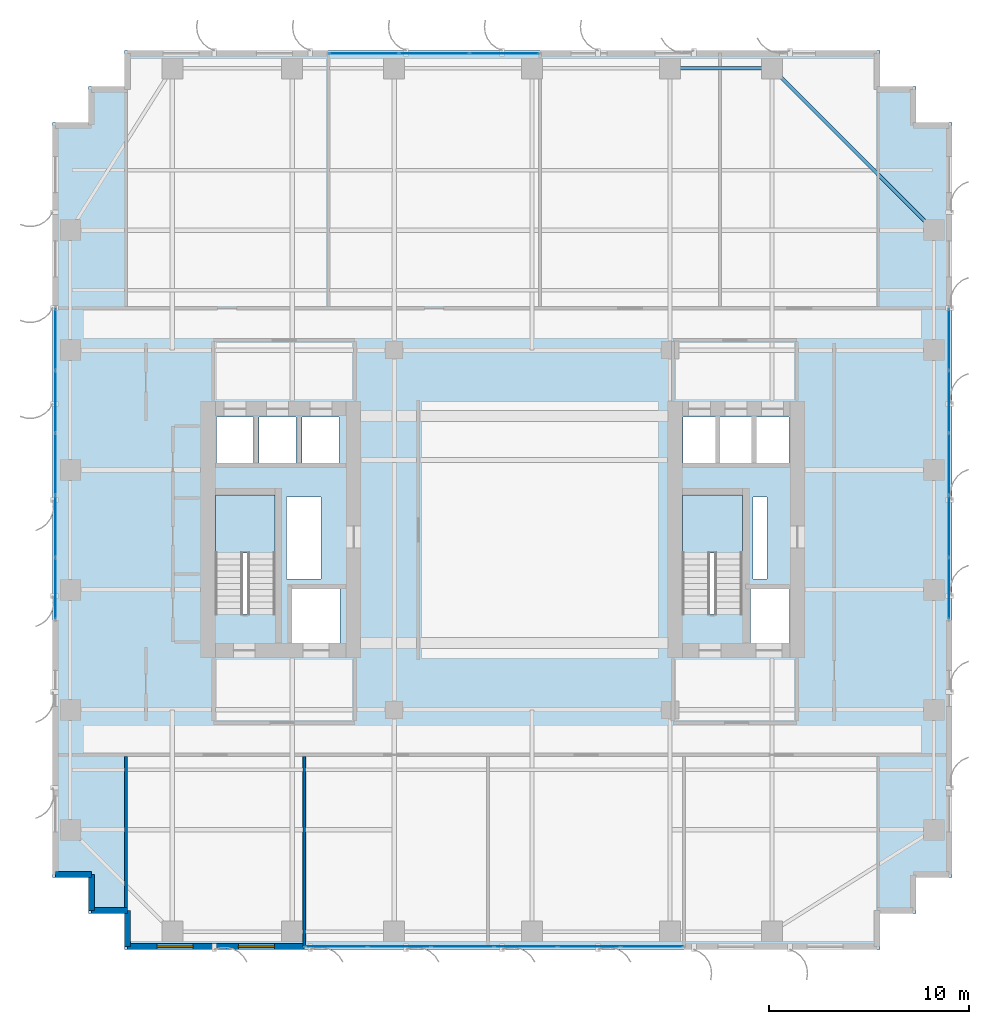
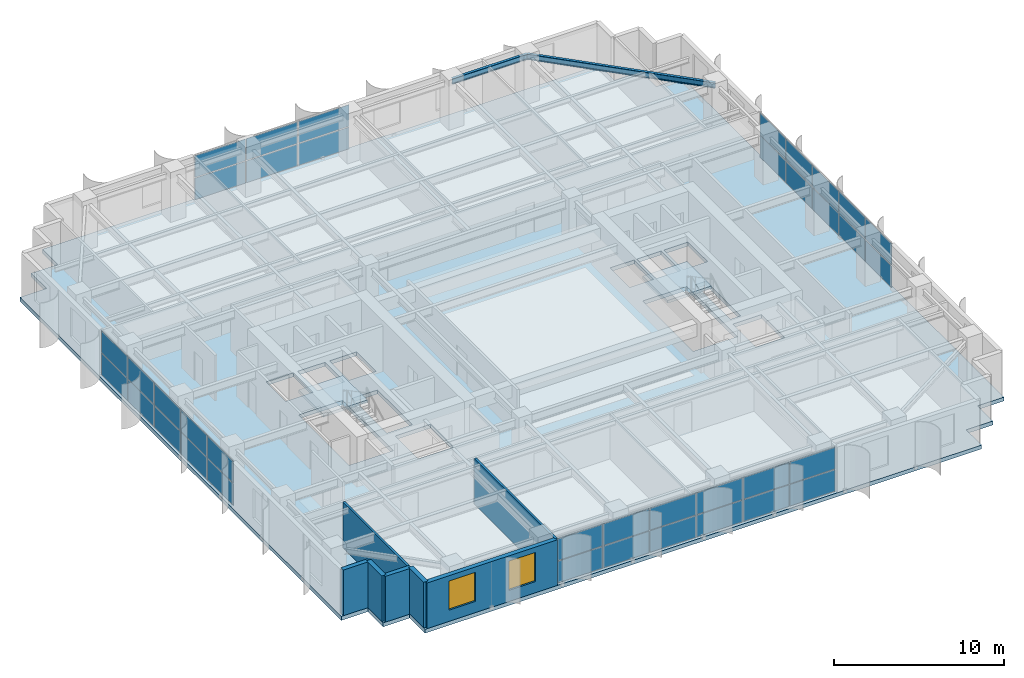
# One storey, part 21 of 28: 38 plates, 7 walls, 3 slabs, 2 beams, 2 windows, 2 openings, 6 elements without a shape of their own.
"""IFC4 building model written with IfcOpenShell, lengths in metres."""

from ifc_helpers import new_model, si_unit, direction, frame, frame_2d, origin, origin_2d, place, context, subcontext, project, spatial, polyline, rectangle, i_section, outline, extrude, source, transform, mapped, material, layer, layer_set, material_profile, profile_set, type_object, element, fill, aggregate, save


model = new_model("IFC4")

# Units and contexts
model_context = context("Model", 3, precision=1e-05, world=origin(), true_north=direction((0.0, 1.0)))
body_context = subcontext(model_context, "Body", "Model", "MODEL_VIEW")
ifc_project = project(units=[si_unit("LENGTHUNIT", "METRE"), si_unit("AREAUNIT", "SQUARE_METRE"), si_unit("VOLUMEUNIT", "CUBIC_METRE"), si_unit("PLANEANGLEUNIT", "RADIAN"), si_unit("MASSUNIT", "GRAM", prefix="KILO")], contexts=[model_context])

# Site, building, storey
site_placement = place(None, origin())
site = spatial("IfcSite", under=ifc_project, at=site_placement, CompositionType="ELEMENT")
building_placement = place(site_placement, origin())
building = spatial("IfcBuilding", under=site, at=building_placement, Name="Khoralis Quay Care Tower", CompositionType="ELEMENT")
storey_placement = place(building_placement, frame((0.0, 0.0, 144.89990234375)))
storey = spatial("IfcBuildingStorey", under=building, at=storey_placement, Name="L38", CompositionType="ELEMENT", Elevation=144.89990234375)

# Beams
ifc_material_1 = material(Name="Steel S355", Category="steel")
ifc_material_profile = material_profile(ifc_material_1, i_section(OverallWidth=0.179931640625, OverallDepth=0.39990234375, WebThickness=0.008544921875, FlangeThickness=0.013427734375, FilletRadius=0.02099609375, at=origin_2d()), Name="Steel S355")
ifc_profile_set = profile_set([ifc_material_profile], Name="Steel S355")
beam_type = type_object("IfcBeamType", Name="BM-IPE400", PredefinedType="SPANDREL", material=ifc_profile_set)
shared_shape_1 = source(origin(), body_context, "Body", "SweptSolid", [
    extrude(i_section(OverallWidth=0.179931640625, OverallDepth=0.39990234375, WebThickness=0.008544921875, FlangeThickness=0.013427734375, FilletRadius=0.02099609375, at=origin_2d()), origin(), (0.0, 0.0, 1.0), 5.10009765625),
])
beam_1_placement = place(storey_placement, frame((30.89990234375, 44.10009765625, 3.080078125), z_axis=(1.0, 0.0, 0.0), x_axis=(0.0, 1.0, 0.0)))
element("IfcBeam", 1, at=beam_1_placement, inside=storey, type_object=beam_type, Name="BM-TSP-L38-10", PredefinedType="SPANDREL", context=body_context, shape_type="MappedRepresentation", body=[
    mapped(shared_shape_1, transform((0.0, 0.0, 0.0), scale=1.0)),
])
shared_shape_2 = source(origin(), body_context, "Body", "SweptSolid", [
    extrude(i_section(OverallWidth=0.179931640625, OverallDepth=0.39990234375, WebThickness=0.008544921875, FlangeThickness=0.013427734375, FilletRadius=0.02099609375, at=origin_2d()), origin(), (0.0, 0.0, 1.0), 11.455322265625),
])
beam_2_placement = place(storey_placement, frame((36.0, 44.10009765625, 3.080078125), z_axis=(0.707106781187, -0.707106781187, 0.0), x_axis=(0.707106781187, 0.707106781187, 0.0)))
element("IfcBeam", 2, at=beam_2_placement, inside=storey, type_object=beam_type, Name="BM-TCR-L38-24", PredefinedType="SPANDREL", context=body_context, shape_type="MappedRepresentation", body=[
    mapped(shared_shape_2, transform((0.0, 0.0, 0.0), scale=1.0)),
])

# Stair, slab
ifc_material_2 = material(Name="Precast concrete C45/55", Category="concrete")
stair_type = type_object("IfcStairType", Name="ST-TWR-DOGLEG-1400", PredefinedType="HALF_TURN_STAIR", material=ifc_material_2)
stair_1_placement = place(storey_placement, origin())
stair_1 = element("IfcStair", 3, at=stair_1_placement, inside=storey, type_object=stair_type, Name="L38 West Core Exit Stair ST-T1", PredefinedType="HALF_TURN_STAIR")
ifc_layer_1 = layer(ifc_material_2, 0.199951171875)
ifc_layer_set_1 = layer_set([ifc_layer_1], Name="Precast concrete C45/55")
slab_type_1 = type_object("IfcSlabType", Name="SLB-LANDING-200", PredefinedType="LANDING", material=ifc_layer_set_1)
slab_1_placement = place(storey_placement, frame((0.0, 0.0, 1.60009765625)))
slab_1 = element("IfcSlab", 4, at=slab_1_placement, type_object=slab_type_1, Name="ST-T1 landing 1", PredefinedType="LANDING", context=body_context, shape_type="SweptSolid", body=[
    extrude(outline(polyline([(11.14990234375, 19.840087890625), (11.14990234375, 22.75), (8.14990234375, 22.75), (8.14990234375, 19.840087890625), (11.14990234375, 19.840087890625)])), origin(), (0.0, 0.0, 1.0), 0.199951171875),
])
aggregate(stair_1, [slab_1])

stair_2_placement = place(storey_placement, origin())
stair_2 = element("IfcStair", 5, at=stair_2_placement, inside=storey, type_object=stair_type, Name="L38 East Core Exit Stair ST-T2", PredefinedType="HALF_TURN_STAIR")
slab_2_placement = place(storey_placement, frame((0.0, 0.0, 1.60009765625)))
slab_2 = element("IfcSlab", 6, at=slab_2_placement, type_object=slab_type_1, Name="ST-T2 landing 1", PredefinedType="LANDING", context=body_context, shape_type="SweptSolid", body=[
    extrude(outline(polyline([(34.52001953125, 19.840087890625), (34.52001953125, 22.75), (31.52001953125, 22.75), (31.52001953125, 19.840087890625), (34.52001953125, 19.840087890625)])), origin(), (0.0, 0.0, 1.0), 0.199951171875),
])
aggregate(stair_2, [slab_2])

# Slab
ifc_material_3 = material(Name="Concrete C40/50", Category="concrete")
ifc_layer_2 = layer(ifc_material_3, 0.280029296875)
ifc_layer_set_2 = layer_set([ifc_layer_2], Name="Concrete C40/50")
slab_type_2 = type_object("IfcSlabType", Name="SLB-TWR-280", PredefinedType="FLOOR", material=ifc_layer_set_2)
slab_3_placement = place(storey_placement, frame((0.0, 0.0, -0.27978515625)))
element("IfcSlab", 7, at=slab_3_placement, inside=storey, type_object=slab_type_2, Name="Tower Floor Slab L38", PredefinedType="FLOOR", context=body_context, shape_type="SweptSolid", body=[
    extrude(outline(polyline([(3.60009765625, 0.0), (41.39990234375, 0.0), (41.39990234375, 1.800048828125), (43.199951171875, 1.800048828125), (43.199951171875, 3.60009765625), (45.0, 3.60009765625), (45.0, 41.39990234375), (43.199951171875, 41.39990234375), (43.199951171875, 43.199951171875), (41.39990234375, 43.199951171875), (41.39990234375, 45.0), (3.60009765625, 45.0), (3.60009765625, 43.199951171875), (1.800048828125, 43.199951171875), (1.800048828125, 41.39990234375), (0.0, 41.39990234375), (0.0, 3.60009765625), (1.800048828125, 3.60009765625), (1.800048828125, 1.800048828125), (3.60009765625, 1.800048828125), (3.60009765625, 0.0)]), holes=[polyline([(11.14990234375, 16.800048828125), (11.14990234375, 22.75), (8.14990234375, 22.75), (8.14990234375, 16.800048828125), (11.14990234375, 16.800048828125)]), polyline([(34.52001953125, 16.800048828125), (34.52001953125, 22.75), (31.52001953125, 22.75), (31.52001953125, 16.800048828125), (34.52001953125, 16.800048828125)]), polyline([(12.0, 15.35009765625), (14.39990234375, 15.35009765625), (14.39990234375, 18.050048828125), (12.0, 18.050048828125), (12.0, 15.35009765625)]), polyline([(34.919921875, 15.35009765625), (36.8798828125, 15.35009765625), (36.8798828125, 18.050048828125), (34.919921875, 18.050048828125), (34.919921875, 15.35009765625)]), polyline([(8.199951171875, 24.35009765625), (10.050048828125, 24.35009765625), (10.050048828125, 26.64990234375), (8.199951171875, 26.64990234375), (8.199951171875, 24.35009765625)]), polyline([(31.550048828125, 24.35009765625), (33.199951171875, 24.35009765625), (33.199951171875, 26.64990234375), (31.550048828125, 26.64990234375), (31.550048828125, 24.35009765625)]), polyline([(10.35009765625, 24.35009765625), (12.199951171875, 24.35009765625), (12.199951171875, 26.64990234375), (10.35009765625, 26.64990234375), (10.35009765625, 24.35009765625)]), polyline([(33.3798828125, 24.35009765625), (35.030029296875, 24.35009765625), (35.030029296875, 26.64990234375), (33.3798828125, 26.64990234375), (33.3798828125, 24.35009765625)]), polyline([(12.5, 24.35009765625), (14.35009765625, 24.35009765625), (14.35009765625, 26.64990234375), (12.5, 26.64990234375), (12.5, 24.35009765625)]), polyline([(35.199951171875, 24.35009765625), (36.85009765625, 24.35009765625), (36.85009765625, 26.64990234375), (35.199951171875, 26.64990234375), (35.199951171875, 24.35009765625)]), polyline([(11.719970703125, 18.550048828125), (13.449951171875, 18.550048828125), (13.449951171875, 22.64990234375), (11.719970703125, 22.64990234375), (11.719970703125, 18.550048828125)]), polyline([(35.050048828125, 18.550048828125), (35.75, 18.550048828125), (35.75, 22.64990234375), (35.050048828125, 22.64990234375), (35.050048828125, 18.550048828125)])]), origin(), (0.0, 0.0, 1.0), 0.27978515625),
])

# Curtain wall, plates
ifc_material_4 = material(Name="Pale anodised aluminium", Category="aluminium")
ifc_layer_3 = layer(ifc_material_4, 0.169921875)
ifc_layer_set_3 = layer_set([ifc_layer_3], Name="Pale anodised aluminium")
curtain_wall_type = type_object("IfcCurtainWallType", Name="CW-SYS-Z2", PredefinedType="NOTDEFINED", material=ifc_layer_set_3)
curtain_wall_1_placement = place(storey_placement, origin())
curtain_wall_1 = element("IfcCurtainWall", 8, at=curtain_wall_1_placement, inside=storey, type_object=curtain_wall_type, Name="L38 Unitised Curtain Wall CW-L38-P1-E0", PredefinedType="NOTDEFINED")
ifc_material_5 = material(Name="Low-E solar-control double glazing", Category="glass")
ifc_layer_4 = layer(ifc_material_5, 0.031982421875)
ifc_layer_set_4 = layer_set([ifc_layer_4], Name="Low-E solar-control double glazing")
plate_type = type_object("IfcPlateType", Name="PNL-VIS-32", PredefinedType="CURTAIN_PANEL", material=ifc_layer_set_4)
shared_shape_3 = source(origin(), body_context, "Body", "SweptSolid", [
    extrude(rectangle(XDim=3.07666015625, YDim=0.028076171875, at=origin_2d()), origin(), (0.0, 0.0, 1.0), 1.550048828125),
])
plate_1_placement = place(storey_placement, frame((14.1982421875, 0.14990234375, 0.06005859375), z_axis=(0.0, 0.0, 1.0), x_axis=(1.0, 0.0, 0.0)))
plate_1 = element("IfcPlate", 9, at=plate_1_placement, type_object=plate_type, Name="CW2 panel 1.1", PredefinedType="CURTAIN_PANEL", context=body_context, shape_type="MappedRepresentation", body=[
    mapped(shared_shape_3, transform((0.0, 0.0, 0.0), scale=1.0)),
])
plate_2_placement = place(storey_placement, frame((14.1982421875, 0.14990234375, 1.669921875), z_axis=(0.0, 0.0, 1.0), x_axis=(1.0, 0.0, 0.0)))
plate_2 = element("IfcPlate", 10, at=plate_2_placement, type_object=plate_type, Name="CW2 panel 1.2", PredefinedType="CURTAIN_PANEL", context=body_context, shape_type="MappedRepresentation", body=[
    mapped(shared_shape_3, transform((0.0, 0.0, 0.0), scale=1.0)),
])
plate_3_placement = place(storey_placement, frame((30.001708984375, 0.14990234375, 0.06005859375), z_axis=(0.0, 0.0, 1.0), x_axis=(1.0, 0.0, 0.0)))
plate_3 = element("IfcPlate", 11, at=plate_3_placement, type_object=plate_type, Name="CW2 panel 6.1", PredefinedType="CURTAIN_PANEL", context=body_context, shape_type="MappedRepresentation", body=[
    mapped(shared_shape_3, transform((0.0, 0.0, 0.0), scale=1.0)),
])
plate_4_placement = place(storey_placement, frame((30.001708984375, 0.14990234375, 1.669921875), z_axis=(0.0, 0.0, 1.0), x_axis=(1.0, 0.0, 0.0)))
plate_4 = element("IfcPlate", 12, at=plate_4_placement, type_object=plate_type, Name="CW2 panel 6.2", PredefinedType="CURTAIN_PANEL", context=body_context, shape_type="MappedRepresentation", body=[
    mapped(shared_shape_3, transform((0.0, 0.0, 0.0), scale=1.0)),
])
shared_shape_4 = source(origin(), body_context, "Body", "SweptSolid", [
    extrude(rectangle(XDim=3.106689453125, YDim=0.028076171875, at=origin_2d()), origin(), (0.0, 0.0, 1.0), 1.550048828125),
])
plate_5_placement = place(storey_placement, frame((17.35009765625, 0.14990234375, 0.06005859375), z_axis=(0.0, 0.0, 1.0), x_axis=(1.0, 0.0, 0.0)))
plate_5 = element("IfcPlate", 13, at=plate_5_placement, type_object=plate_type, Name="CW2 panel 2.1", PredefinedType="CURTAIN_PANEL", context=body_context, shape_type="MappedRepresentation", body=[
    mapped(shared_shape_4, transform((0.0, 0.0, 0.0), scale=1.0)),
])
plate_6_placement = place(storey_placement, frame((17.35009765625, 0.14990234375, 1.669921875), z_axis=(0.0, 0.0, 1.0), x_axis=(1.0, 0.0, 0.0)))
plate_6 = element("IfcPlate", 14, at=plate_6_placement, type_object=plate_type, Name="CW2 panel 2.2", PredefinedType="CURTAIN_PANEL", context=body_context, shape_type="MappedRepresentation", body=[
    mapped(shared_shape_4, transform((0.0, 0.0, 0.0), scale=1.0)),
])
plate_7_placement = place(storey_placement, frame((20.5166015625, 0.14990234375, 0.06005859375), z_axis=(0.0, 0.0, 1.0), x_axis=(1.0, 0.0, 0.0)))
plate_7 = element("IfcPlate", 15, at=plate_7_placement, type_object=plate_type, Name="CW2 panel 3.1", PredefinedType="CURTAIN_PANEL", context=body_context, shape_type="MappedRepresentation", body=[
    mapped(shared_shape_4, transform((0.0, 0.0, 0.0), scale=1.0)),
])
plate_8_placement = place(storey_placement, frame((20.5166015625, 0.14990234375, 1.669921875), z_axis=(0.0, 0.0, 1.0), x_axis=(1.0, 0.0, 0.0)))
plate_8 = element("IfcPlate", 16, at=plate_8_placement, type_object=plate_type, Name="CW2 panel 3.2", PredefinedType="CURTAIN_PANEL", context=body_context, shape_type="MappedRepresentation", body=[
    mapped(shared_shape_4, transform((0.0, 0.0, 0.0), scale=1.0)),
])
plate_9_placement = place(storey_placement, frame((23.683349609375, 0.14990234375, 0.06005859375), z_axis=(0.0, 0.0, 1.0), x_axis=(1.0, 0.0, 0.0)))
plate_9 = element("IfcPlate", 17, at=plate_9_placement, type_object=plate_type, Name="CW2 panel 4.1", PredefinedType="CURTAIN_PANEL", context=body_context, shape_type="MappedRepresentation", body=[
    mapped(shared_shape_4, transform((0.0, 0.0, 0.0), scale=1.0)),
])
plate_10_placement = place(storey_placement, frame((23.683349609375, 0.14990234375, 1.669921875), z_axis=(0.0, 0.0, 1.0), x_axis=(1.0, 0.0, 0.0)))
plate_10 = element("IfcPlate", 18, at=plate_10_placement, type_object=plate_type, Name="CW2 panel 4.2", PredefinedType="CURTAIN_PANEL", context=body_context, shape_type="MappedRepresentation", body=[
    mapped(shared_shape_4, transform((0.0, 0.0, 0.0), scale=1.0)),
])
plate_11_placement = place(storey_placement, frame((26.85009765625, 0.14990234375, 0.06005859375), z_axis=(0.0, 0.0, 1.0), x_axis=(1.0, 0.0, 0.0)))
plate_11 = element("IfcPlate", 19, at=plate_11_placement, type_object=plate_type, Name="CW2 panel 5.1", PredefinedType="CURTAIN_PANEL", context=body_context, shape_type="MappedRepresentation", body=[
    mapped(shared_shape_4, transform((0.0, 0.0, 0.0), scale=1.0)),
])
plate_12_placement = place(storey_placement, frame((26.85009765625, 0.14990234375, 1.669921875), z_axis=(0.0, 0.0, 1.0), x_axis=(1.0, 0.0, 0.0)))
plate_12 = element("IfcPlate", 20, at=plate_12_placement, type_object=plate_type, Name="CW2 panel 5.2", PredefinedType="CURTAIN_PANEL", context=body_context, shape_type="MappedRepresentation", body=[
    mapped(shared_shape_4, transform((0.0, 0.0, 0.0), scale=1.0)),
])
aggregate(curtain_wall_1, [plate_1, plate_2, plate_5, plate_6, plate_7, plate_8, plate_9, plate_10, plate_11, plate_12, plate_3, plate_4])

curtain_wall_2_placement = place(storey_placement, origin())
curtain_wall_2 = element("IfcCurtainWall", 21, at=curtain_wall_2_placement, inside=storey, type_object=curtain_wall_type, Name="L38 Unitised Curtain Wall CW-L38-P1-E5", PredefinedType="NOTDEFINED")
shared_shape_5 = source(origin(), body_context, "Body", "SweptSolid", [
    extrude(rectangle(XDim=3.030029296875, YDim=0.028076171875, at=origin_2d()), origin(), (0.0, 0.0, 1.0), 1.550048828125),
])
plate_13_placement = place(storey_placement, frame((44.85009765625, 18.074951171875, 0.06005859375), z_axis=(0.0, 0.0, 1.0), x_axis=(0.0, 1.0, 0.0)))
plate_13 = element("IfcPlate", 22, at=plate_13_placement, type_object=plate_type, Name="CW2 panel 1.1", PredefinedType="CURTAIN_PANEL", context=body_context, shape_type="MappedRepresentation", body=[
    mapped(shared_shape_5, transform((0.0, 0.0, 0.0), scale=1.0)),
])
plate_14_placement = place(storey_placement, frame((44.85009765625, 18.074951171875, 1.669921875), z_axis=(0.0, 0.0, 1.0), x_axis=(0.0, 1.0, 0.0)))
plate_14 = element("IfcPlate", 23, at=plate_14_placement, type_object=plate_type, Name="CW2 panel 1.2", PredefinedType="CURTAIN_PANEL", context=body_context, shape_type="MappedRepresentation", body=[
    mapped(shared_shape_5, transform((0.0, 0.0, 0.0), scale=1.0)),
])
plate_15_placement = place(storey_placement, frame((44.85009765625, 30.52490234375, 0.06005859375), z_axis=(0.0, 0.0, 1.0), x_axis=(0.0, 1.0, 0.0)))
plate_15 = element("IfcPlate", 24, at=plate_15_placement, type_object=plate_type, Name="CW2 panel 5.1", PredefinedType="CURTAIN_PANEL", context=body_context, shape_type="MappedRepresentation", body=[
    mapped(shared_shape_5, transform((0.0, 0.0, 0.0), scale=1.0)),
])
plate_16_placement = place(storey_placement, frame((44.85009765625, 30.52490234375, 1.669921875), z_axis=(0.0, 0.0, 1.0), x_axis=(0.0, 1.0, 0.0)))
plate_16 = element("IfcPlate", 25, at=plate_16_placement, type_object=plate_type, Name="CW2 panel 5.2", PredefinedType="CURTAIN_PANEL", context=body_context, shape_type="MappedRepresentation", body=[
    mapped(shared_shape_5, transform((0.0, 0.0, 0.0), scale=1.0)),
])

curtain_wall_3_placement = place(storey_placement, origin())
curtain_wall_3 = element("IfcCurtainWall", 26, at=curtain_wall_3_placement, inside=storey, type_object=curtain_wall_type, Name="L38 Unitised Curtain Wall CW-L38-P1-E15", PredefinedType="NOTDEFINED")
plate_17_placement = place(storey_placement, frame((0.14990234375, 30.52490234375, 0.06005859375), z_axis=(0.0, 0.0, 1.0), x_axis=(0.0, -1.0, 0.0)))
plate_17 = element("IfcPlate", 27, at=plate_17_placement, type_object=plate_type, Name="CW2 panel 1.1", PredefinedType="CURTAIN_PANEL", context=body_context, shape_type="MappedRepresentation", body=[
    mapped(shared_shape_5, transform((0.0, 0.0, 0.0), scale=1.0)),
])
plate_18_placement = place(storey_placement, frame((0.14990234375, 30.52490234375, 1.669921875), z_axis=(0.0, 0.0, 1.0), x_axis=(0.0, -1.0, 0.0)))
plate_18 = element("IfcPlate", 28, at=plate_18_placement, type_object=plate_type, Name="CW2 panel 1.2", PredefinedType="CURTAIN_PANEL", context=body_context, shape_type="MappedRepresentation", body=[
    mapped(shared_shape_5, transform((0.0, 0.0, 0.0), scale=1.0)),
])
plate_19_placement = place(storey_placement, frame((0.14990234375, 18.074951171875, 0.06005859375), z_axis=(0.0, 0.0, 1.0), x_axis=(0.0, -1.0, 0.0)))
plate_19 = element("IfcPlate", 29, at=plate_19_placement, type_object=plate_type, Name="CW2 panel 5.1", PredefinedType="CURTAIN_PANEL", context=body_context, shape_type="MappedRepresentation", body=[
    mapped(shared_shape_5, transform((0.0, 0.0, 0.0), scale=1.0)),
])
plate_20_placement = place(storey_placement, frame((0.14990234375, 18.074951171875, 1.669921875), z_axis=(0.0, 0.0, 1.0), x_axis=(0.0, -1.0, 0.0)))
plate_20 = element("IfcPlate", 30, at=plate_20_placement, type_object=plate_type, Name="CW2 panel 5.2", PredefinedType="CURTAIN_PANEL", context=body_context, shape_type="MappedRepresentation", body=[
    mapped(shared_shape_5, transform((0.0, 0.0, 0.0), scale=1.0)),
])

# Plate
shared_shape_6 = source(origin(), body_context, "Body", "SweptSolid", [
    extrude(rectangle(XDim=3.06005859375, YDim=0.028076171875, at=origin_2d()), origin(), (0.0, 0.0, 1.0), 1.550048828125),
])
plate_21_placement = place(storey_placement, frame((44.85009765625, 21.179931640625, 0.06005859375), z_axis=(0.0, 0.0, 1.0), x_axis=(0.0, 1.0, 0.0)))
plate_21 = element("IfcPlate", 31, at=plate_21_placement, type_object=plate_type, Name="CW2 panel 2.1", PredefinedType="CURTAIN_PANEL", context=body_context, shape_type="MappedRepresentation", body=[
    mapped(shared_shape_6, transform((0.0, 0.0, 0.0), scale=1.0)),
])

plate_22_placement = place(storey_placement, frame((44.85009765625, 21.179931640625, 1.669921875), z_axis=(0.0, 0.0, 1.0), x_axis=(0.0, 1.0, 0.0)))
plate_22 = element("IfcPlate", 32, at=plate_22_placement, type_object=plate_type, Name="CW2 panel 2.2", PredefinedType="CURTAIN_PANEL", context=body_context, shape_type="MappedRepresentation", body=[
    mapped(shared_shape_6, transform((0.0, 0.0, 0.0), scale=1.0)),
])

plate_23_placement = place(storey_placement, frame((44.85009765625, 24.300048828125, 0.06005859375), z_axis=(0.0, 0.0, 1.0), x_axis=(0.0, 1.0, 0.0)))
plate_23 = element("IfcPlate", 33, at=plate_23_placement, type_object=plate_type, Name="CW2 panel 3.1", PredefinedType="CURTAIN_PANEL", context=body_context, shape_type="MappedRepresentation", body=[
    mapped(shared_shape_6, transform((0.0, 0.0, 0.0), scale=1.0)),
])

plate_24_placement = place(storey_placement, frame((44.85009765625, 24.300048828125, 1.669921875), z_axis=(0.0, 0.0, 1.0), x_axis=(0.0, 1.0, 0.0)))
plate_24 = element("IfcPlate", 34, at=plate_24_placement, type_object=plate_type, Name="CW2 panel 3.2", PredefinedType="CURTAIN_PANEL", context=body_context, shape_type="MappedRepresentation", body=[
    mapped(shared_shape_6, transform((0.0, 0.0, 0.0), scale=1.0)),
])

plate_25_placement = place(storey_placement, frame((44.85009765625, 27.419921875, 0.06005859375), z_axis=(0.0, 0.0, 1.0), x_axis=(0.0, 1.0, 0.0)))
plate_25 = element("IfcPlate", 35, at=plate_25_placement, type_object=plate_type, Name="CW2 panel 4.1", PredefinedType="CURTAIN_PANEL", context=body_context, shape_type="MappedRepresentation", body=[
    mapped(shared_shape_6, transform((0.0, 0.0, 0.0), scale=1.0)),
])

plate_26_placement = place(storey_placement, frame((44.85009765625, 27.419921875, 1.669921875), z_axis=(0.0, 0.0, 1.0), x_axis=(0.0, 1.0, 0.0)))
plate_26 = element("IfcPlate", 36, at=plate_26_placement, type_object=plate_type, Name="CW2 panel 4.2", PredefinedType="CURTAIN_PANEL", context=body_context, shape_type="MappedRepresentation", body=[
    mapped(shared_shape_6, transform((0.0, 0.0, 0.0), scale=1.0)),
])

aggregate(curtain_wall_2, [plate_13, plate_14, plate_21, plate_22, plate_23, plate_24, plate_25, plate_26, plate_15, plate_16])

plate_27_placement = place(storey_placement, frame((0.14990234375, 27.419921875, 0.06005859375), z_axis=(0.0, 0.0, 1.0), x_axis=(0.0, -1.0, 0.0)))
plate_27 = element("IfcPlate", 37, at=plate_27_placement, type_object=plate_type, Name="CW2 panel 2.1", PredefinedType="CURTAIN_PANEL", context=body_context, shape_type="MappedRepresentation", body=[
    mapped(shared_shape_6, transform((0.0, 0.0, 0.0), scale=1.0)),
])

plate_28_placement = place(storey_placement, frame((0.14990234375, 27.419921875, 1.669921875), z_axis=(0.0, 0.0, 1.0), x_axis=(0.0, -1.0, 0.0)))
plate_28 = element("IfcPlate", 38, at=plate_28_placement, type_object=plate_type, Name="CW2 panel 2.2", PredefinedType="CURTAIN_PANEL", context=body_context, shape_type="MappedRepresentation", body=[
    mapped(shared_shape_6, transform((0.0, 0.0, 0.0), scale=1.0)),
])

plate_29_placement = place(storey_placement, frame((0.14990234375, 24.300048828125, 0.06005859375), z_axis=(0.0, 0.0, 1.0), x_axis=(0.0, -1.0, 0.0)))
plate_29 = element("IfcPlate", 39, at=plate_29_placement, type_object=plate_type, Name="CW2 panel 3.1", PredefinedType="CURTAIN_PANEL", context=body_context, shape_type="MappedRepresentation", body=[
    mapped(shared_shape_6, transform((0.0, 0.0, 0.0), scale=1.0)),
])

plate_30_placement = place(storey_placement, frame((0.14990234375, 24.300048828125, 1.669921875), z_axis=(0.0, 0.0, 1.0), x_axis=(0.0, -1.0, 0.0)))
plate_30 = element("IfcPlate", 40, at=plate_30_placement, type_object=plate_type, Name="CW2 panel 3.2", PredefinedType="CURTAIN_PANEL", context=body_context, shape_type="MappedRepresentation", body=[
    mapped(shared_shape_6, transform((0.0, 0.0, 0.0), scale=1.0)),
])

plate_31_placement = place(storey_placement, frame((0.14990234375, 21.179931640625, 0.06005859375), z_axis=(0.0, 0.0, 1.0), x_axis=(0.0, -1.0, 0.0)))
plate_31 = element("IfcPlate", 41, at=plate_31_placement, type_object=plate_type, Name="CW2 panel 4.1", PredefinedType="CURTAIN_PANEL", context=body_context, shape_type="MappedRepresentation", body=[
    mapped(shared_shape_6, transform((0.0, 0.0, 0.0), scale=1.0)),
])

plate_32_placement = place(storey_placement, frame((0.14990234375, 21.179931640625, 1.669921875), z_axis=(0.0, 0.0, 1.0), x_axis=(0.0, -1.0, 0.0)))
plate_32 = element("IfcPlate", 42, at=plate_32_placement, type_object=plate_type, Name="CW2 panel 4.2", PredefinedType="CURTAIN_PANEL", context=body_context, shape_type="MappedRepresentation", body=[
    mapped(shared_shape_6, transform((0.0, 0.0, 0.0), scale=1.0)),
])

aggregate(curtain_wall_3, [plate_17, plate_18, plate_27, plate_28, plate_29, plate_30, plate_31, plate_32, plate_19, plate_20])

# Curtain wall, plates
curtain_wall_4_placement = place(storey_placement, origin())
curtain_wall_4 = element("IfcCurtainWall", 43, at=curtain_wall_4_placement, inside=storey, type_object=curtain_wall_type, Name="L38 Unitised Curtain Wall CW-L38-P1-E10", PredefinedType="NOTDEFINED")
shared_shape_7 = source(origin(), body_context, "Body", "SweptSolid", [
    extrude(rectangle(XDim=3.443359375, YDim=0.028076171875, at=origin_2d()), origin(), (0.0, 0.0, 1.0), 1.550048828125),
])
plate_33_placement = place(storey_placement, frame((22.618408203125, 44.85009765625, 0.06005859375), z_axis=(0.0, 0.0, 1.0), x_axis=(-1.0, 0.0, 0.0)))
plate_33 = element("IfcPlate", 44, at=plate_33_placement, type_object=plate_type, Name="CW2 panel 1.1", PredefinedType="CURTAIN_PANEL", context=body_context, shape_type="MappedRepresentation", body=[
    mapped(shared_shape_7, transform((0.0, 0.0, 0.0), scale=1.0)),
])
plate_34_placement = place(storey_placement, frame((22.618408203125, 44.85009765625, 1.669921875), z_axis=(0.0, 0.0, 1.0), x_axis=(-1.0, 0.0, 0.0)))
plate_34 = element("IfcPlate", 45, at=plate_34_placement, type_object=plate_type, Name="CW2 panel 1.2", PredefinedType="CURTAIN_PANEL", context=body_context, shape_type="MappedRepresentation", body=[
    mapped(shared_shape_7, transform((0.0, 0.0, 0.0), scale=1.0)),
])
plate_35_placement = place(storey_placement, frame((15.581787109375, 44.85009765625, 0.06005859375), z_axis=(0.0, 0.0, 1.0), x_axis=(-1.0, 0.0, 0.0)))
plate_35 = element("IfcPlate", 46, at=plate_35_placement, type_object=plate_type, Name="CW2 panel 3.1", PredefinedType="CURTAIN_PANEL", context=body_context, shape_type="MappedRepresentation", body=[
    mapped(shared_shape_7, transform((0.0, 0.0, 0.0), scale=1.0)),
])
plate_36_placement = place(storey_placement, frame((15.581787109375, 44.85009765625, 1.669921875), z_axis=(0.0, 0.0, 1.0), x_axis=(-1.0, 0.0, 0.0)))
plate_36 = element("IfcPlate", 47, at=plate_36_placement, type_object=plate_type, Name="CW2 panel 3.2", PredefinedType="CURTAIN_PANEL", context=body_context, shape_type="MappedRepresentation", body=[
    mapped(shared_shape_7, transform((0.0, 0.0, 0.0), scale=1.0)),
])
shared_shape_8 = source(origin(), body_context, "Body", "SweptSolid", [
    extrude(rectangle(XDim=3.473388671875, YDim=0.028076171875, at=origin_2d()), origin(), (0.0, 0.0, 1.0), 1.550048828125),
])
plate_37_placement = place(storey_placement, frame((19.10009765625, 44.85009765625, 0.06005859375), z_axis=(0.0, 0.0, 1.0), x_axis=(-1.0, 0.0, 0.0)))
plate_37 = element("IfcPlate", 48, at=plate_37_placement, type_object=plate_type, Name="CW2 panel 2.1", PredefinedType="CURTAIN_PANEL", context=body_context, shape_type="MappedRepresentation", body=[
    mapped(shared_shape_8, transform((0.0, 0.0, 0.0), scale=1.0)),
])
plate_38_placement = place(storey_placement, frame((19.10009765625, 44.85009765625, 1.669921875), z_axis=(0.0, 0.0, 1.0), x_axis=(-1.0, 0.0, 0.0)))
plate_38 = element("IfcPlate", 49, at=plate_38_placement, type_object=plate_type, Name="CW2 panel 2.2", PredefinedType="CURTAIN_PANEL", context=body_context, shape_type="MappedRepresentation", body=[
    mapped(shared_shape_8, transform((0.0, 0.0, 0.0), scale=1.0)),
])
aggregate(curtain_wall_4, [plate_33, plate_34, plate_37, plate_38, plate_35, plate_36])

# Wall, openings, windows
ifc_layer_5 = layer(ifc_material_2, 0.300048828125)
ifc_layer_set_5 = layer_set([ifc_layer_5], Name="Precast concrete C45/55")
wall_type_1 = type_object("IfcWallType", Name="WL-EXT-REF-300", PredefinedType="SOLIDWALL", material=ifc_layer_set_5)
wall_1_placement = place(storey_placement, frame((3.75, 0.14990234375, 0.0), z_axis=(0.0, 0.0, 1.0), x_axis=(1.0, 0.0, 0.0)))
wall_1 = element("IfcWall", 50, at=wall_1_placement, inside=storey, type_object=wall_type_1, Name="L38 External Facade Wall WL-EXT-L38-P1-E0A", PredefinedType="SOLIDWALL", context=body_context, shape_type="SweptSolid", body=[
    extrude(rectangle(XDim=8.85009765625, YDim=0.300048828125, at=frame_2d((4.425048828125, 0.0))), origin(), (0.0, 0.0, 1.0), 3.280029296875),
])
opening_1_placement = place(wall_1_placement, frame((1.492431640625, 0.0, 0.800048828125)))
opening_1 = element("IfcOpeningElement", 51, at=opening_1_placement, cuts=wall_1, Name="Opening W2", PredefinedType="OPENING", context=body_context, shape_type="SweptSolid", body=[
    extrude(rectangle(XDim=1.800048828125, YDim=2.10009765625, at=frame_2d((0.89990234375, 1.050048828125))), frame((0.0, 0.16015625, 0.0), z_axis=(0.0, -1.0, 0.0), x_axis=(1.0, 0.0, 0.0)), (0.0, 0.0, 1.0), 0.320068359375),
])
opening_2_placement = place(wall_1_placement, frame((5.5576171875, 0.0, 0.800048828125)))
opening_2 = element("IfcOpeningElement", 52, at=opening_2_placement, cuts=wall_1, Name="Opening W2", PredefinedType="OPENING", context=body_context, shape_type="SweptSolid", body=[
    extrude(rectangle(XDim=1.800048828125, YDim=2.10009765625, at=frame_2d((0.89990234375, 1.050048828125))), frame((0.0, 0.16015625, 0.0), z_axis=(0.0, -1.0, 0.0), x_axis=(1.0, 0.0, 0.0)), (0.0, 0.0, 1.0), 0.320068359375),
])
window_type = type_object("IfcWindowType", Name="WN-POD-1800X2100", PartitioningType="SINGLE_PANEL", PredefinedType="WINDOW", material=ifc_material_5)
shared_shape_9 = source(origin(), body_context, "Body", "SweptSolid", [
    extrude(rectangle(XDim=1.800048828125, YDim=2.10009765625, at=frame_2d((0.89990234375, 1.050048828125))), frame((0.0, 0.030029296875, 0.0), z_axis=(0.0, -1.0, 0.0), x_axis=(1.0, 0.0, 0.0)), (0.0, 0.0, 1.0), 0.06005859375),
])
window_1_placement = place(opening_1_placement, origin())
window_1 = element("IfcWindow", 53, at=window_1_placement, inside=storey, type_object=window_type, Name="WN-L38-P1-E0A Facade Window 01", OverallHeight=2.10009765625, OverallWidth=1.800048828125, PartitioningType="SINGLE_PANEL", PredefinedType="WINDOW", context=body_context, shape_type="MappedRepresentation", body=[
    mapped(shared_shape_9, transform((0.0, 0.0, 0.0), scale=1.0)),
])
fill(opening_1, window_1)
window_2_placement = place(opening_2_placement, origin())
window_2 = element("IfcWindow", 54, at=window_2_placement, inside=storey, type_object=window_type, Name="WN-L38-P1-E0A Facade Window 02", OverallHeight=2.10009765625, OverallWidth=1.800048828125, PartitioningType="SINGLE_PANEL", PredefinedType="WINDOW", context=body_context, shape_type="MappedRepresentation", body=[
    mapped(shared_shape_9, transform((0.0, 0.0, 0.0), scale=1.0)),
])
fill(opening_2, window_2)

# Walls
for number, where, z_axis, x_axis, name in (
    (55, (0.14990234375, 3.75, 0.0), (0.0, 0.0, 1.0), (1.0, 0.0, 0.0), "L38 External Facade Wall WL-EXT-L38-P1-C16"),
    (56, (1.949951171875, 3.75, 0.0), (0.0, 0.0, 1.0), (0.0, -1.0, 0.0), "L38 External Facade Wall WL-EXT-L38-P1-C17"),
    (57, (1.949951171875, 1.949951171875, 0.0), (0.0, 0.0, 1.0), (1.0, 0.0, 0.0), "L38 External Facade Wall WL-EXT-L38-P1-C18"),
    (58, (3.75, 1.949951171875, 0.0), (0.0, 0.0, 1.0), (0.0, -1.0, 0.0), "L38 External Facade Wall WL-EXT-L38-P1-C19"),
):
    element("IfcWall", number, at=place(storey_placement, frame(where, z_axis=z_axis, x_axis=x_axis)), inside=storey, type_object=wall_type_1, Name=name, PredefinedType="SOLIDWALL", context=body_context, shape_type="SweptSolid", body=[
        extrude(rectangle(XDim=1.800048828125, YDim=0.300048828125, at=frame_2d((0.89990234375, 0.0))), origin(), (0.0, 0.0, 1.0), 3.280029296875),
    ])
ifc_material_6 = material(Name="Gypsum plasterboard on acoustic metal stud")
ifc_layer_6 = layer(ifc_material_6, 0.139892578125)
ifc_layer_set_6 = layer_set([ifc_layer_6], Name="Gypsum plasterboard on acoustic metal stud")
wall_type_2 = type_object("IfcWallType", Name="WL-UNIT-140", PredefinedType="PARTITIONING", material=ifc_layer_set_6)
wall_2_placement = place(storey_placement, frame((3.679931640625, 1.945068359375, 0.0), z_axis=(0.0, 0.0, 1.0), x_axis=(0.0, 1.0, 0.0)))
element("IfcWall", 59, at=wall_2_placement, inside=storey, type_object=wall_type_2, Name="L38 SB Demising Wall 0", PredefinedType="PARTITIONING", context=body_context, shape_type="SweptSolid", body=[
    extrude(rectangle(XDim=7.7275390625, YDim=0.139892578125, at=frame_2d((3.86376953125, 0.0))), origin(), (0.0, 0.0, 1.0), 3.280029296875),
])
wall_3_placement = place(storey_placement, frame((12.60009765625, 0.14501953125, 0.0), z_axis=(0.0, 0.0, 1.0), x_axis=(0.0, 1.0, 0.0)))
element("IfcWall", 60, at=wall_3_placement, inside=storey, type_object=wall_type_2, Name="L38 SB Demising Wall 1", PredefinedType="PARTITIONING", context=body_context, shape_type="SweptSolid", body=[
    extrude(rectangle(XDim=9.527587890625, YDim=0.139892578125, at=frame_2d((4.763671875, 0.0))), origin(), (0.0, 0.0, 1.0), 3.280029296875),
])

save(model, "model.ifc")
